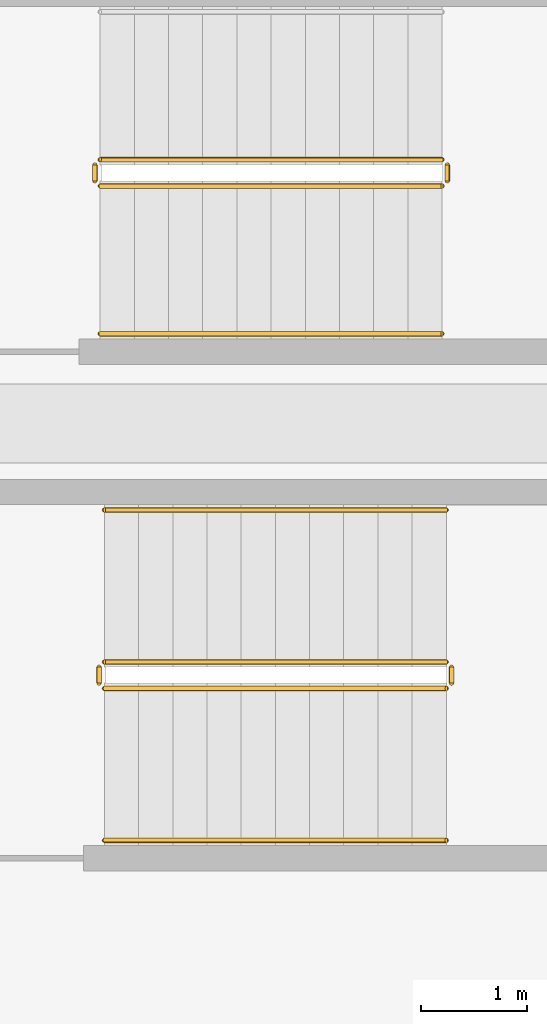
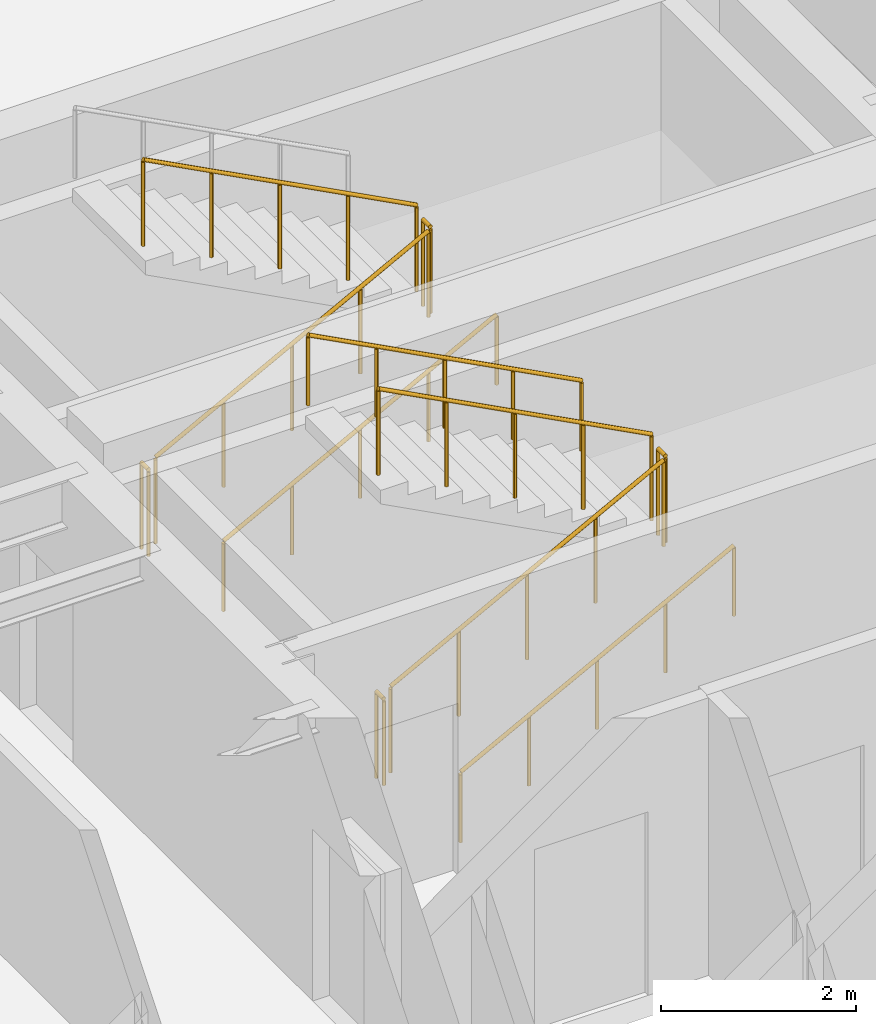
# One storey, part 13 of 14: 11 railings.
"""IFC4 building model written with IfcOpenShell, lengths in metres."""

from ifc_helpers import new_model, si_unit, direction, frame, origin, origin_2d, place, context, subcontext, project, spatial, circle, extrude, material, type_object, element, save


model = new_model("IFC4")

# Units and contexts
model_context = context("Model", 3, precision=1e-05, world=origin(), true_north=direction((0.0, 1.0)))
body_context = subcontext(model_context, "Body", "Model", "MODEL_VIEW")
ifc_project = project(units=[si_unit("LENGTHUNIT", "METRE"), si_unit("AREAUNIT", "SQUARE_METRE"), si_unit("VOLUMEUNIT", "CUBIC_METRE"), si_unit("PLANEANGLEUNIT", "RADIAN"), si_unit("MASSUNIT", "GRAM", prefix="KILO")], contexts=[model_context])

# Site, building, storey
site_placement = place(None, origin())
site = spatial("IfcSite", under=ifc_project, at=site_placement, CompositionType="ELEMENT")
building_placement = place(site_placement, origin())
building = spatial("IfcBuilding", under=site, at=building_placement, Name="Kolvaren Arena Tower", CompositionType="ELEMENT")
storey_placement = place(building_placement, frame((0.0, 0.0, 289.89990234375)))
storey = spatial("IfcBuildingStorey", under=building, at=storey_placement, Name="L71", CompositionType="ELEMENT", Elevation=289.89990234375)

# Railings
ifc_material_1 = material(Name="Painted galvanized steel", Category="steel")
railing_type_1 = type_object("IfcRailingType", Name="GUARD-ST-110", PredefinedType="GUARDRAIL", material=ifc_material_1)
railing_1_placement = place(storey_placement, frame((52.719970703125, 31.639892578125, 0.170654296875)))
element("IfcRailing", 1, at=railing_1_placement, inside=storey, type_object=railing_type_1, Name="L71 ST-E1 stair guard 1", PredefinedType="GUARDRAIL", context=body_context, shape_type="SweptSolid", body=[
    extrude(circle(Radius=0.02392578125, at=origin_2d()), frame((0.0, 0.0, 1.076171875), z_axis=(0.885020909582, 0.0, 0.465551274945), x_axis=(0.0, 1.0, 0.0)), (0.0, 0.0, 1.0), 3.660888671875),
    extrude(circle(Radius=0.02099609375, at=origin_2d()), origin(), (0.0, 0.0, 1.0), 1.052001953125),
    extrude(circle(Radius=0.02099609375, at=origin_2d()), frame((0.81005859375, 0.0, 0.426025390625)), (0.0, 0.0, 1.0), 1.052001953125),
    extrude(circle(Radius=0.02099609375, at=origin_2d()), frame((1.6201171875, 0.0, 0.85205078125)), (0.0, 0.0, 1.0), 1.052001953125),
    extrude(circle(Radius=0.02099609375, at=origin_2d()), frame((2.429931640625, 0.0, 1.2783203125)), (0.0, 0.0, 1.0), 1.052001953125),
    extrude(circle(Radius=0.02099609375, at=origin_2d()), frame((3.239990234375, 0.0, 1.704345703125)), (0.0, 0.0, 1.0), 1.052001953125),
])
railing_2_placement = place(storey_placement, frame((56.010009765625, 31.68994140625, 1.875)))
element("IfcRailing", 2, at=railing_2_placement, inside=storey, type_object=railing_type_1, Name="L71 ST-E1 stair guard 2", PredefinedType="GUARDRAIL", context=body_context, shape_type="SweptSolid", body=[
    extrude(circle(Radius=0.02392578125, at=origin_2d()), frame((0.0, 0.0, 1.076171875), z_axis=(0.0, 1.0, 0.0), x_axis=(-1.0, 0.0, 0.0)), (0.0, 0.0, 1.0), 0.150146484375),
    extrude(circle(Radius=0.02099609375, at=origin_2d()), origin(), (0.0, 0.0, 1.0), 1.052001953125),
    extrude(circle(Radius=0.02099609375, at=origin_2d()), frame((0.0, 0.150146484375, 0.0)), (0.0, 0.0, 1.0), 1.052001953125),
])
railing_3_placement = place(storey_placement, frame((55.9599609375, 31.889892578125, 2.045654296875)))
element("IfcRailing", 3, at=railing_3_placement, inside=storey, type_object=railing_type_1, Name="L71 ST-E1 stair guard 3", PredefinedType="GUARDRAIL", context=body_context, shape_type="SweptSolid", body=[
    extrude(circle(Radius=0.02392578125, at=origin_2d()), frame((0.0, 0.0, 1.076171875), z_axis=(-0.885020909582, 0.0, 0.465551274945), x_axis=(0.0, -1.0, 0.0)), (0.0, 0.0, 1.0), 3.660888671875),
    extrude(circle(Radius=0.02099609375, at=origin_2d()), origin(), (0.0, 0.0, 1.0), 1.052001953125),
    extrude(circle(Radius=0.02099609375, at=origin_2d()), frame((-0.81005859375, 0.0, 0.426025390625)), (0.0, 0.0, 1.0), 1.052001953125),
    extrude(circle(Radius=0.02099609375, at=origin_2d()), frame((-1.6201171875, 0.0, 0.85205078125)), (0.0, 0.0, 1.0), 1.052001953125),
    extrude(circle(Radius=0.02099609375, at=origin_2d()), frame((-2.429931640625, 0.0, 1.2783203125)), (0.0, 0.0, 1.0), 1.052001953125),
    extrude(circle(Radius=0.02099609375, at=origin_2d()), frame((-3.239990234375, 0.0, 1.704345703125)), (0.0, 0.0, 1.0), 1.052001953125),
])
railing_4_placement = place(storey_placement, frame((52.669921875, 31.68994140625, 0.0)))
element("IfcRailing", 4, at=railing_4_placement, inside=storey, type_object=railing_type_1, Name="L71 ST-E1 stair guard 4", PredefinedType="GUARDRAIL", context=body_context, shape_type="SweptSolid", body=[
    extrude(circle(Radius=0.02392578125, at=origin_2d()), frame((0.0, 0.0, 1.076171875), z_axis=(0.0, 1.0, 0.0), x_axis=(-1.0, 0.0, 0.0)), (0.0, 0.0, 1.0), 0.150146484375),
    extrude(circle(Radius=0.02099609375, at=origin_2d()), origin(), (0.0, 0.0, 1.0), 1.052001953125),
    extrude(circle(Radius=0.02099609375, at=origin_2d()), frame((0.0, 0.150146484375, 0.0)), (0.0, 0.0, 1.0), 1.052001953125),
])
railing_5_placement = place(storey_placement, frame((52.679931640625, 36.39990234375, 0.170654296875)))
element("IfcRailing", 5, at=railing_5_placement, inside=storey, type_object=railing_type_1, Name="L71 ST-E2 stair guard 1", PredefinedType="GUARDRAIL", context=body_context, shape_type="SweptSolid", body=[
    extrude(circle(Radius=0.02392578125, at=origin_2d()), frame((0.0, 0.0, 1.076171875), z_axis=(0.885020909582, 0.0, 0.465551274945), x_axis=(0.0, 1.0, 0.0)), (0.0, 0.0, 1.0), 3.660888671875),
    extrude(circle(Radius=0.02099609375, at=origin_2d()), origin(), (0.0, 0.0, 1.0), 1.052001953125),
    extrude(circle(Radius=0.02099609375, at=origin_2d()), frame((0.81005859375, 0.0, 0.426025390625)), (0.0, 0.0, 1.0), 1.052001953125),
    extrude(circle(Radius=0.02099609375, at=origin_2d()), frame((1.6201171875, 0.0, 0.85205078125)), (0.0, 0.0, 1.0), 1.052001953125),
    extrude(circle(Radius=0.02099609375, at=origin_2d()), frame((2.429931640625, 0.0, 1.2783203125)), (0.0, 0.0, 1.0), 1.052001953125),
    extrude(circle(Radius=0.02099609375, at=origin_2d()), frame((3.239990234375, 0.0, 1.704345703125)), (0.0, 0.0, 1.0), 1.052001953125),
])
railing_6_placement = place(storey_placement, frame((55.969970703125, 36.449951171875, 1.875)))
element("IfcRailing", 6, at=railing_6_placement, inside=storey, type_object=railing_type_1, Name="L71 ST-E2 stair guard 2", PredefinedType="GUARDRAIL", context=body_context, shape_type="SweptSolid", body=[
    extrude(circle(Radius=0.02392578125, at=origin_2d()), frame((0.0, 0.0, 1.076171875), z_axis=(0.0, 1.0, 0.0), x_axis=(-1.0, 0.0, 0.0)), (0.0, 0.0, 1.0), 0.150146484375),
    extrude(circle(Radius=0.02099609375, at=origin_2d()), origin(), (0.0, 0.0, 1.0), 1.052001953125),
    extrude(circle(Radius=0.02099609375, at=origin_2d()), frame((0.0, 0.150146484375, 0.0)), (0.0, 0.0, 1.0), 1.052001953125),
])
railing_7_placement = place(storey_placement, frame((55.919921875, 36.64990234375, 2.045654296875)))
element("IfcRailing", 7, at=railing_7_placement, inside=storey, type_object=railing_type_1, Name="L71 ST-E2 stair guard 3", PredefinedType="GUARDRAIL", context=body_context, shape_type="SweptSolid", body=[
    extrude(circle(Radius=0.02392578125, at=origin_2d()), frame((0.0, 0.0, 1.076171875), z_axis=(-0.885020909582, 0.0, 0.465551274945), x_axis=(0.0, -1.0, 0.0)), (0.0, 0.0, 1.0), 3.660888671875),
    extrude(circle(Radius=0.02099609375, at=origin_2d()), origin(), (0.0, 0.0, 1.0), 1.052001953125),
    extrude(circle(Radius=0.02099609375, at=origin_2d()), frame((-0.81005859375, 0.0, 0.426025390625)), (0.0, 0.0, 1.0), 1.052001953125),
    extrude(circle(Radius=0.02099609375, at=origin_2d()), frame((-1.6201171875, 0.0, 0.85205078125)), (0.0, 0.0, 1.0), 1.052001953125),
    extrude(circle(Radius=0.02099609375, at=origin_2d()), frame((-2.429931640625, 0.0, 1.2783203125)), (0.0, 0.0, 1.0), 1.052001953125),
    extrude(circle(Radius=0.02099609375, at=origin_2d()), frame((-3.239990234375, 0.0, 1.704345703125)), (0.0, 0.0, 1.0), 1.052001953125),
])
railing_8_placement = place(storey_placement, frame((52.6298828125, 36.449951171875, 0.0)))
element("IfcRailing", 8, at=railing_8_placement, inside=storey, type_object=railing_type_1, Name="L71 ST-E2 stair guard 4", PredefinedType="GUARDRAIL", context=body_context, shape_type="SweptSolid", body=[
    extrude(circle(Radius=0.02392578125, at=origin_2d()), frame((0.0, 0.0, 1.076171875), z_axis=(0.0, 1.0, 0.0), x_axis=(-1.0, 0.0, 0.0)), (0.0, 0.0, 1.0), 0.150146484375),
    extrude(circle(Radius=0.02099609375, at=origin_2d()), origin(), (0.0, 0.0, 1.0), 1.052001953125),
    extrude(circle(Radius=0.02099609375, at=origin_2d()), frame((0.0, 0.150146484375, 0.0)), (0.0, 0.0, 1.0), 1.052001953125),
])
ifc_material_2 = material(Name="Brushed stainless steel handrail", Category="steel")
railing_type_2 = type_object("IfcRailingType", Name="HRAIL-900", PredefinedType="HANDRAIL", material=ifc_material_2)
railing_9_placement = place(storey_placement, frame((52.719970703125, 30.199951171875, 0.170654296875)))
element("IfcRailing", 9, at=railing_9_placement, inside=storey, type_object=railing_type_2, Name="L71 ST-E1 stair handrail 1", PredefinedType="HANDRAIL", context=body_context, shape_type="SweptSolid", body=[
    extrude(circle(Radius=0.02392578125, at=origin_2d()), frame((0.0, 0.0, 0.8759765625), z_axis=(0.885020909582, 0.0, 0.465551274945), x_axis=(0.0, 1.0, 0.0)), (0.0, 0.0, 1.0), 3.660888671875),
    extrude(circle(Radius=0.02099609375, at=origin_2d()), origin(), (0.0, 0.0, 1.0), 0.851806640625),
    extrude(circle(Radius=0.02099609375, at=origin_2d()), frame((0.81005859375, 0.0, 0.426025390625)), (0.0, 0.0, 1.0), 0.851806640625),
    extrude(circle(Radius=0.02099609375, at=origin_2d()), frame((1.6201171875, 0.0, 0.85205078125)), (0.0, 0.0, 1.0), 0.851806640625),
    extrude(circle(Radius=0.02099609375, at=origin_2d()), frame((2.429931640625, 0.0, 1.2783203125)), (0.0, 0.0, 1.0), 0.851806640625),
    extrude(circle(Radius=0.02099609375, at=origin_2d()), frame((3.239990234375, 0.0, 1.704345703125)), (0.0, 0.0, 1.0), 0.851806640625),
])
railing_10_placement = place(storey_placement, frame((55.9599609375, 33.330078125, 2.045654296875)))
element("IfcRailing", 10, at=railing_10_placement, inside=storey, type_object=railing_type_2, Name="L71 ST-E1 stair handrail 2", PredefinedType="HANDRAIL", context=body_context, shape_type="SweptSolid", body=[
    extrude(circle(Radius=0.02392578125, at=origin_2d()), frame((0.0, 0.0, 0.8759765625), z_axis=(-0.885020909582, 0.0, 0.465551274945), x_axis=(0.0, -1.0, 0.0)), (0.0, 0.0, 1.0), 3.660888671875),
    extrude(circle(Radius=0.02099609375, at=origin_2d()), origin(), (0.0, 0.0, 1.0), 0.851806640625),
    extrude(circle(Radius=0.02099609375, at=origin_2d()), frame((-0.81005859375, 0.0, 0.426025390625)), (0.0, 0.0, 1.0), 0.851806640625),
    extrude(circle(Radius=0.02099609375, at=origin_2d()), frame((-1.6201171875, 0.0, 0.85205078125)), (0.0, 0.0, 1.0), 0.851806640625),
    extrude(circle(Radius=0.02099609375, at=origin_2d()), frame((-2.429931640625, 0.0, 1.2783203125)), (0.0, 0.0, 1.0), 0.851806640625),
    extrude(circle(Radius=0.02099609375, at=origin_2d()), frame((-3.239990234375, 0.0, 1.704345703125)), (0.0, 0.0, 1.0), 0.851806640625),
])
railing_11_placement = place(storey_placement, frame((52.679931640625, 35.0, 0.170654296875)))
element("IfcRailing", 11, at=railing_11_placement, inside=storey, type_object=railing_type_2, Name="L71 ST-E2 stair handrail 1", PredefinedType="HANDRAIL", context=body_context, shape_type="SweptSolid", body=[
    extrude(circle(Radius=0.02392578125, at=origin_2d()), frame((0.0, 0.0, 0.8759765625), z_axis=(0.885020909582, 0.0, 0.465551274945), x_axis=(0.0, 1.0, 0.0)), (0.0, 0.0, 1.0), 3.660888671875),
    extrude(circle(Radius=0.02099609375, at=origin_2d()), origin(), (0.0, 0.0, 1.0), 0.851806640625),
    extrude(circle(Radius=0.02099609375, at=origin_2d()), frame((0.81005859375, 0.0, 0.426025390625)), (0.0, 0.0, 1.0), 0.851806640625),
    extrude(circle(Radius=0.02099609375, at=origin_2d()), frame((1.6201171875, 0.0, 0.85205078125)), (0.0, 0.0, 1.0), 0.851806640625),
    extrude(circle(Radius=0.02099609375, at=origin_2d()), frame((2.429931640625, 0.0, 1.2783203125)), (0.0, 0.0, 1.0), 0.851806640625),
    extrude(circle(Radius=0.02099609375, at=origin_2d()), frame((3.239990234375, 0.0, 1.704345703125)), (0.0, 0.0, 1.0), 0.851806640625),
])

save(model, "model.ifc")
